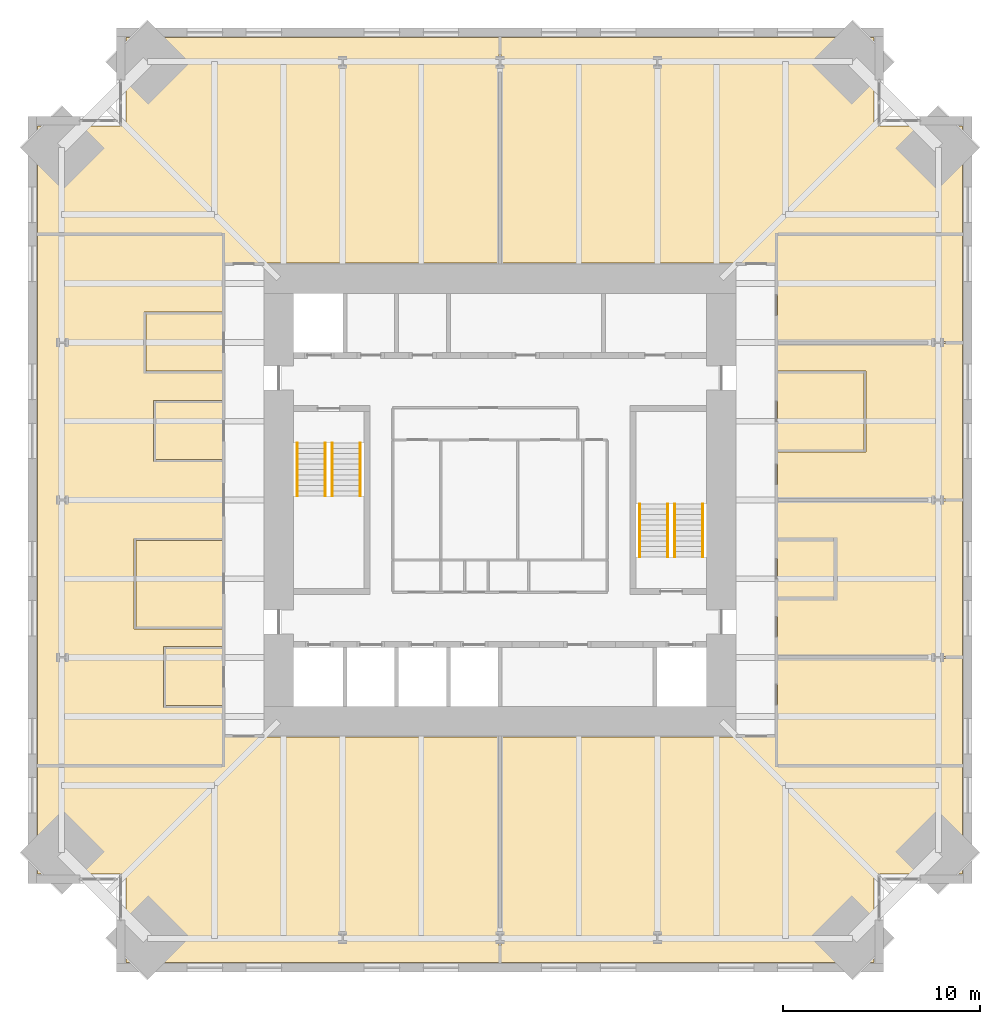
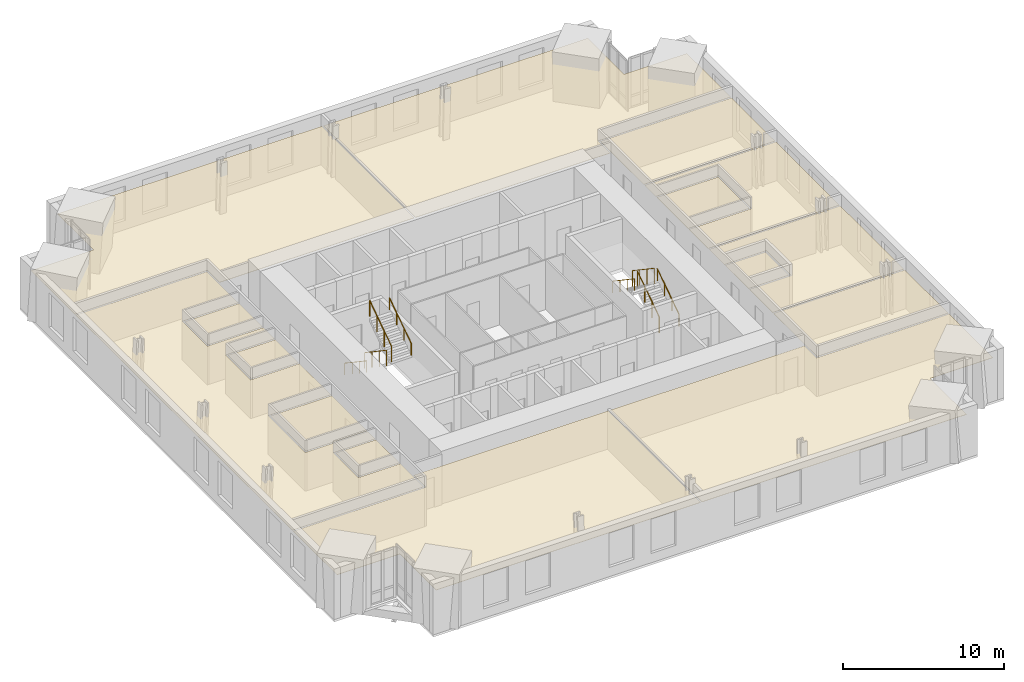
# One storey, part 15 of 15: 15 coverings, 8 railings.
"""IFC4 building model written with IfcOpenShell, lengths in metres."""

import ifcopenshell
import ifcopenshell.guid

model = None  # the IFC model being written
_history = None  # IfcOwnerHistory: only IFC2X3 demands one
_inside = {}  # id of a spatial element -> (the spatial element, [elements in it])
_under = {}  # id of a project, library or spatial element -> (it, [spatial elements below it])
_declared = {}  # id of a project -> (the project, [libraries it declares])
_typed = {}  # id of a type object -> (the type object, [elements of that type])
_made_of = {}  # id of a material, layer set ... -> (it, [elements and type objects made of it])


def new_model(schema):
    """Start an empty IFC model of exactly this schema.

    Asked for "IFC4X3", IfcOpenShell would pick the latest addendum, in which some entities
    have other attributes; the version numbers below select the first issue.
    IFC2X3 requires an IfcOwnerHistory on every rooted entity: one is made here for all.
    """
    global model, _history
    if schema == "IFC4X3":
        model = ifcopenshell.file(schema_version=(4, 3, 0, 0))
    else:
        model = ifcopenshell.file(schema=schema)
    _inside.clear()
    _under.clear()
    _declared.clear()
    _typed.clear()
    _made_of.clear()
    _history = None
    if model.schema == "IFC2X3":
        org = make("IfcOrganization", Name="unknown")
        user = make(
            "IfcPersonAndOrganization",
            ThePerson=make("IfcPerson", FamilyName="unknown"),
            TheOrganization=org,
        )
        app = make(
            "IfcApplication",
            ApplicationDeveloper=org,
            Version="unknown",
            ApplicationFullName="unknown",
            ApplicationIdentifier="unknown",
        )
        _history = make(
            "IfcOwnerHistory",
            OwningUser=user,
            OwningApplication=app,
            ChangeAction="ADDED",
            CreationDate=0,
        )
    return model


def make(cls, **values):
    """One entity of the class cls with the attributes given. An attribute that is None is left unset."""
    return model.create_entity(
        cls, **{name: value for name, value in values.items() if value is not None}
    )


def rooted(cls, **values):
    """An entity with a GlobalId (a new one), such as an element, a storey or a relation."""
    return make(cls, GlobalId=ifcopenshell.guid.new(), OwnerHistory=_history, **values)


def si_unit(unit_type, name, prefix=None):
    """IfcSIUnit, for example si_unit("LENGTHUNIT", "METRE", prefix="MILLI")."""
    return make("IfcSIUnit", UnitType=unit_type, Prefix=prefix, Name=name)


def assignment(units):
    """IfcUnitAssignment: the units of a project."""
    return None if units is None else make("IfcUnitAssignment", Units=units)


def point(xyz):
    """IfcCartesianPoint."""
    return None if xyz is None else make("IfcCartesianPoint", Coordinates=xyz)


def direction(xyz):
    """IfcDirection."""
    return None if xyz is None else make("IfcDirection", DirectionRatios=xyz)


def frame(location, z_axis=None, x_axis=None):
    """IfcAxis2Placement3D, a coordinate frame: its origin and axes. An axis left out is left unset."""
    return make(
        "IfcAxis2Placement3D",
        Location=point(location),
        Axis=direction(z_axis),
        RefDirection=direction(x_axis),
    )


def frame_2d(location, x_axis=None):
    """IfcAxis2Placement2D, a coordinate frame in the plane: its origin and x axis."""
    return make(
        "IfcAxis2Placement2D", Location=point(location), RefDirection=direction(x_axis)
    )


def origin():
    """The frame at (0, 0, 0) with its axes left unset."""
    return frame((0.0, 0.0, 0.0))


def origin_2d():
    """The frame at (0, 0) in the plane with its x axis left unset."""
    return frame_2d((0.0, 0.0))


def place(relative_to, where):
    """IfcLocalPlacement: puts the frame where relative to a parent placement (None: the world)."""
    return make(
        "IfcLocalPlacement", PlacementRelTo=relative_to, RelativePlacement=where
    )


def context(
    kind, dimensions, precision=None, world=None, true_north=None, identifier=None
):
    """IfcGeometricRepresentationContext, for example the 3D "Model" context."""
    return make(
        "IfcGeometricRepresentationContext",
        ContextIdentifier=identifier,
        ContextType=kind,
        CoordinateSpaceDimension=dimensions,
        Precision=precision,
        WorldCoordinateSystem=world,
        TrueNorth=true_north,
    )


def subcontext(parent, identifier, kind, view, scale=None):
    """IfcGeometricRepresentationSubContext, for example "Body" below "Model"."""
    return make(
        "IfcGeometricRepresentationSubContext",
        ContextIdentifier=identifier,
        ContextType=kind,
        ParentContext=parent,
        TargetScale=scale,
        TargetView=view,
    )


def project(units=None, contexts=None):
    """IfcProject with its units and contexts."""
    return rooted(
        "IfcProject",
        Name="project",
        RepresentationContexts=contexts,
        UnitsInContext=assignment(units),
    )


def spatial(cls, under=None, at=None, **own):
    """A site, building, storey or space (cls), placed at a placement, below another one or the project."""
    s = rooted(cls, ObjectPlacement=at, **own)
    if under is not None:
        _under.setdefault(under.id(), (under, []))[1].append(s)
    return s


def polyline(points):
    """IfcPolyline through the points."""
    return make("IfcPolyline", Points=[point(p) for p in points])


def profile(cls, at=None, kind="AREA", **sizes):
    """A parametric profile (cls). Its sizes go by their IFC names, for example OverallWidth=200.0."""
    return make(cls, ProfileType=kind, Position=at, **sizes)


def circle(**sizes):
    """IfcCircleProfileDef."""
    return profile("IfcCircleProfileDef", **sizes)


def outline(outer, holes=None, kind="AREA"):
    """IfcArbitraryClosedProfileDef: a profile drawn as a closed curve; with holes, ...WithVoids."""
    if holes is None:
        return make("IfcArbitraryClosedProfileDef", ProfileType=kind, OuterCurve=outer)
    return make(
        "IfcArbitraryProfileDefWithVoids",
        ProfileType=kind,
        OuterCurve=outer,
        InnerCurves=holes,
    )


def extrude(swept, where, along, depth):
    """IfcExtrudedAreaSolid: the profile swept, set in the frame where, extruded along a direction by depth."""
    return make(
        "IfcExtrudedAreaSolid",
        SweptArea=swept,
        Position=where,
        ExtrudedDirection=direction(along),
        Depth=depth,
    )


def shape(context_of_items, identifier, shape_type, items):
    """IfcShapeRepresentation: the items that make up one representation, for example the "Body"."""
    return make(
        "IfcShapeRepresentation",
        ContextOfItems=context_of_items,
        RepresentationIdentifier=identifier,
        RepresentationType=shape_type,
        Items=items,
    )


def material(Name=None, Category=None):
    """IfcMaterial."""
    return make("IfcMaterial", Name=Name, Category=Category)


def layer(
    of_material, thickness, ventilated=None, Name=None, Category=None, Priority=None
):
    """IfcMaterialLayer: one layer of a wall or slab, of a material (None: an air gap)."""
    return make(
        "IfcMaterialLayer",
        Material=of_material,
        LayerThickness=thickness,
        IsVentilated=ventilated,
        Name=Name,
        Category=Category,
        Priority=Priority,
    )


def layer_set(layers, Name=None):
    """IfcMaterialLayerSet."""
    return make("IfcMaterialLayerSet", MaterialLayers=layers, LayerSetName=Name)


def made_of(thing, what):
    """Note that an element or type object is made of a material, layer set ...; save() writes the relation."""
    if what is not None:
        _made_of.setdefault(what.id(), (what, []))[1].append(thing)
    return thing


def type_object(cls, material=None, **own):
    """A type object (cls), such as IfcWallType, which elements share."""
    return made_of(rooted(cls, **own), material)


def element(
    cls,
    number,
    at=None,
    inside=None,
    cuts=None,
    type_object=None,
    material=None,
    context=None,
    identifier="Body",
    shape_type=None,
    held_by="IfcProductDefinitionShape",
    body=None,
    shapes=None,
    **own,
):
    """One element of the class cls, such as IfcWall. Its Tag is "e" and its number.

    at: its placement. inside: the storey or other place that contains it. cuts: it is an
    opening in that element (IfcRelVoidsElement). A single representation is given by context,
    identifier, shape_type and body (its items); several are given by shapes. held_by: the class
    of the entity that holds the representations. save() writes the other relations.
    """
    e = rooted(cls, Tag="e%d" % number, ObjectPlacement=at, **own)
    if body is not None:
        shapes = [shape(context, identifier, shape_type, body)]
    if shapes is not None:
        e.Representation = make(held_by, Representations=shapes)
    if inside is not None:
        _inside.setdefault(inside.id(), (inside, []))[1].append(e)
    if cuts is not None:
        rooted(
            "IfcRelVoidsElement", RelatingBuildingElement=cuts, RelatedOpeningElement=e
        )
    if type_object is not None:
        _typed.setdefault(type_object.id(), (type_object, []))[1].append(e)
    return made_of(e, material)


def aggregate(whole, parts):
    """IfcRelAggregates: a whole, such as a stair, and the parts it consists of."""
    return rooted("IfcRelAggregates", RelatingObject=whole, RelatedObjects=parts)


def save(model, path):
    """Write the relations noted so far, then the file.

    IfcRelAggregates (storeys below a building ...), IfcRelContainedInSpatialStructure (elements
    in a storey), IfcRelDefinesByType, IfcRelAssociatesMaterial and IfcRelDeclares: one each for
    every whole, place, type object, material and project.
    """
    for whole, parts in _under.values():
        aggregate(whole, parts)
    for where, things in _inside.values():
        rooted(
            "IfcRelContainedInSpatialStructure",
            RelatedElements=things,
            RelatingStructure=where,
        )
    for kind, things in _typed.values():
        rooted("IfcRelDefinesByType", RelatedObjects=things, RelatingType=kind)
    for what, things in _made_of.values():
        rooted("IfcRelAssociatesMaterial", RelatedObjects=things, RelatingMaterial=what)
    for by, libraries in _declared.values():
        rooted("IfcRelDeclares", RelatingContext=by, RelatedDefinitions=libraries)
    model.write(path)


model = new_model("IFC4")

# Units and contexts
model_context = context("Model", 3, precision=1e-05, world=origin(), true_north=direction((0.0, 1.0)))
body_context = subcontext(model_context, "Body", "Model", "MODEL_VIEW")
ifc_project = project(units=[si_unit("LENGTHUNIT", "METRE"), si_unit("AREAUNIT", "SQUARE_METRE"), si_unit("VOLUMEUNIT", "CUBIC_METRE"), si_unit("PLANEANGLEUNIT", "RADIAN"), si_unit("MASSUNIT", "GRAM", prefix="KILO")], contexts=[model_context])

# Site, building, storey
site_placement = place(None, origin())
site = spatial("IfcSite", under=ifc_project, at=site_placement, CompositionType="ELEMENT")
building_placement = place(site_placement, origin())
building = spatial("IfcBuilding", under=site, at=building_placement, Name="Peilmerk Tower", CompositionType="ELEMENT")
storey_placement = place(building_placement, frame((0.0, 0.0, 213.800048828125)))
storey = spatial("IfcBuildingStorey", under=building, at=storey_placement, Name="L46", CompositionType="ELEMENT", Elevation=213.800048828125)

# Coverings
ifc_material_1 = material(Name="Mineral fibre ceiling tiles", Category="mineral")
ifc_layer = layer(ifc_material_1, 0.02490234375)
ifc_layer_set = layer_set([ifc_layer], Name="Mineral fibre ceiling tiles")
covering_type = type_object("IfcCoveringType", Name="CL1 25 suspended ceiling", PredefinedType="CEILING", material=ifc_layer_set)
covering_1_placement = place(storey_placement, frame((0.0, 0.0, 2.905029296875)))
element("IfcCovering", 1, at=covering_1_placement, inside=storey, type_object=covering_type, Name="Suspended ceiling Open workspace", PredefinedType="CEILING", context=body_context, shape_type="SweptSolid", body=[
    extrude(outline(polyline([(-23.5, 19.0), (-23.5, 13.550048828125), (-14.0, 13.550048828125), (-14.0, 12.050048828125), (-0.050048828125, 12.050048828125), (-0.050048828125, 23.5), (-19.0, 23.5), (-19.0, 19.0), (-23.5, 19.0)])), origin(), (0.0, 0.0, 1.0), 0.02490234375),
])
covering_2_placement = place(storey_placement, frame((0.0, 0.0, 2.905029296875)))
element("IfcCovering", 2, at=covering_2_placement, inside=storey, type_object=covering_type, Name="Suspended ceiling Project room", PredefinedType="CEILING", context=body_context, shape_type="SweptSolid", body=[
    extrude(outline(polyline([(19.0, 23.5), (0.050048828125, 23.5), (0.050048828125, 12.050048828125), (14.0, 12.050048828125), (14.0, 13.550048828125), (23.5, 13.550048828125), (23.5, 19.0), (19.0, 19.0), (19.0, 23.5)])), origin(), (0.0, 0.0, 1.0), 0.02490234375),
])
covering_3_placement = place(storey_placement, frame((0.0, 0.0, 2.905029296875)))
element("IfcCovering", 3, at=covering_3_placement, inside=storey, type_object=covering_type, Name="Suspended ceiling Office", PredefinedType="CEILING", context=body_context, shape_type="SweptSolid", body=[
    extrude(outline(polyline([(-19.0, -23.5), (-0.050048828125, -23.5), (-0.050048828125, -12.050048828125), (-14.0, -12.050048828125), (-14.0, -13.550048828125), (-23.5, -13.550048828125), (-23.5, -19.0), (-19.0, -19.0), (-19.0, -23.5)])), origin(), (0.0, 0.0, 1.0), 0.02490234375),
])
covering_4_placement = place(storey_placement, frame((0.0, 0.0, 2.905029296875)))
element("IfcCovering", 4, at=covering_4_placement, inside=storey, type_object=covering_type, Name="Suspended ceiling Open workspace", PredefinedType="CEILING", context=body_context, shape_type="SweptSolid", body=[
    extrude(outline(polyline([(0.050048828125, -23.5), (19.0, -23.5), (19.0, -19.0), (23.5, -19.0), (23.5, -13.550048828125), (14.0, -13.550048828125), (14.0, -12.050048828125), (0.050048828125, -12.050048828125), (0.050048828125, -23.5)])), origin(), (0.0, 0.0, 1.0), 0.02490234375),
])
covering_5_placement = place(storey_placement, frame((0.0, 0.0, 2.905029296875)))
element("IfcCovering", 5, at=covering_5_placement, inside=storey, type_object=covering_type, Name="Suspended ceiling Project room", PredefinedType="CEILING", context=body_context, shape_type="SweptSolid", body=[
    extrude(outline(polyline([(23.5, -13.449951171875), (23.5, -8.050048828125), (14.10009765625, -8.050048828125), (14.10009765625, -13.449951171875), (23.5, -13.449951171875)])), origin(), (0.0, 0.0, 1.0), 0.02490234375),
])
covering_6_placement = place(storey_placement, frame((0.0, 0.0, 2.905029296875)))
element("IfcCovering", 6, at=covering_6_placement, inside=storey, type_object=covering_type, Name="Suspended ceiling Office", PredefinedType="CEILING", context=body_context, shape_type="SweptSolid", body=[
    extrude(outline(polyline([(14.10009765625, -7.949951171875), (23.5, -7.949951171875), (23.5, -0.050048828125), (14.10009765625, -0.050048828125), (14.10009765625, -1.949951171875), (17.10009765625, -1.949951171875), (17.10009765625, -5.050048828125), (14.10009765625, -5.050048828125), (14.10009765625, -7.949951171875)])), origin(), (0.0, 0.0, 1.0), 0.02490234375),
])
covering_7_placement = place(storey_placement, frame((0.0, 0.0, 2.905029296875)))
element("IfcCovering", 7, at=covering_7_placement, inside=storey, type_object=covering_type, Name="Suspended ceiling Office", PredefinedType="CEILING", context=body_context, shape_type="SweptSolid", body=[
    extrude(outline(polyline([(14.10009765625, 0.050048828125), (23.5, 0.050048828125), (23.5, 7.949951171875), (14.10009765625, 7.949951171875), (14.10009765625, 6.550048828125), (18.60009765625, 6.550048828125), (18.60009765625, 2.449951171875), (14.10009765625, 2.449951171875), (14.10009765625, 0.050048828125)])), origin(), (0.0, 0.0, 1.0), 0.02490234375),
])
covering_8_placement = place(storey_placement, frame((0.0, 0.0, 2.905029296875)))
element("IfcCovering", 8, at=covering_8_placement, inside=storey, type_object=covering_type, Name="Suspended ceiling Wellness room", PredefinedType="CEILING", context=body_context, shape_type="SweptSolid", body=[
    extrude(outline(polyline([(23.5, 8.050048828125), (23.5, 13.449951171875), (14.10009765625, 13.449951171875), (14.10009765625, 8.050048828125), (23.5, 8.050048828125)])), origin(), (0.0, 0.0, 1.0), 0.02490234375),
])
covering_9_placement = place(storey_placement, frame((0.0, 0.0, 2.905029296875)))
element("IfcCovering", 9, at=covering_9_placement, inside=storey, type_object=covering_type, Name="Suspended ceiling Print room", PredefinedType="CEILING", context=body_context, shape_type="SweptSolid", body=[
    extrude(outline(polyline([(17.0, -4.949951171875), (17.0, -2.050048828125), (14.10009765625, -2.050048828125), (14.10009765625, -4.949951171875), (17.0, -4.949951171875)])), origin(), (0.0, 0.0, 1.0), 0.02490234375),
])
covering_10_placement = place(storey_placement, frame((0.0, 0.0, 2.905029296875)))
element("IfcCovering", 10, at=covering_10_placement, inside=storey, type_object=covering_type, Name="Suspended ceiling Meeting room", PredefinedType="CEILING", context=body_context, shape_type="SweptSolid", body=[
    extrude(outline(polyline([(18.5, 2.550048828125), (18.5, 6.449951171875), (14.10009765625, 6.449951171875), (14.10009765625, 2.550048828125), (18.5, 2.550048828125)])), origin(), (0.0, 0.0, 1.0), 0.02490234375),
])
covering_11_placement = place(storey_placement, frame((0.0, 0.0, 2.905029296875)))
element("IfcCovering", 11, at=covering_11_placement, inside=storey, type_object=covering_type, Name="Suspended ceiling Open workspace", PredefinedType="CEILING", context=body_context, shape_type="SweptSolid", body=[
    extrude(outline(polyline([(-14.10009765625, 13.449951171875), (-23.5, 13.449951171875), (-23.5, -13.449951171875), (-14.10009765625, -13.449951171875), (-14.10009765625, -10.550048828125), (-17.10009765625, -10.550048828125), (-17.10009765625, -7.449951171875), (-14.10009765625, -7.449951171875), (-14.10009765625, -6.550048828125), (-18.60009765625, -6.550048828125), (-18.60009765625, -1.949951171875), (-14.10009765625, -1.949951171875), (-14.10009765625, 1.949951171875), (-17.60009765625, 1.949951171875), (-17.60009765625, 5.050048828125), (-14.10009765625, 5.050048828125), (-14.10009765625, 6.449951171875), (-18.10009765625, 6.449951171875), (-18.10009765625, 9.550048828125), (-14.10009765625, 9.550048828125), (-14.10009765625, 13.449951171875)])), origin(), (0.0, 0.0, 1.0), 0.02490234375),
])
covering_12_placement = place(storey_placement, frame((0.0, 0.0, 2.905029296875)))
element("IfcCovering", 12, at=covering_12_placement, inside=storey, type_object=covering_type, Name="Suspended ceiling Meeting room", PredefinedType="CEILING", context=body_context, shape_type="SweptSolid", body=[
    extrude(outline(polyline([(-14.10009765625, -6.449951171875), (-14.10009765625, -2.050048828125), (-18.5, -2.050048828125), (-18.5, -6.449951171875), (-14.10009765625, -6.449951171875)])), origin(), (0.0, 0.0, 1.0), 0.02490234375),
])
covering_13_placement = place(storey_placement, frame((0.0, 0.0, 2.905029296875)))
element("IfcCovering", 13, at=covering_13_placement, inside=storey, type_object=covering_type, Name="Suspended ceiling Quiet room", PredefinedType="CEILING", context=body_context, shape_type="SweptSolid", body=[
    extrude(outline(polyline([(-14.10009765625, 2.050048828125), (-14.10009765625, 4.949951171875), (-17.5, 4.949951171875), (-17.5, 2.050048828125), (-14.10009765625, 2.050048828125)])), origin(), (0.0, 0.0, 1.0), 0.02490234375),
])
covering_14_placement = place(storey_placement, frame((0.0, 0.0, 2.905029296875)))
element("IfcCovering", 14, at=covering_14_placement, inside=storey, type_object=covering_type, Name="Suspended ceiling Pantry", PredefinedType="CEILING", context=body_context, shape_type="SweptSolid", body=[
    extrude(outline(polyline([(-14.10009765625, 6.550048828125), (-14.10009765625, 9.449951171875), (-18.0, 9.449951171875), (-18.0, 6.550048828125), (-14.10009765625, 6.550048828125)])), origin(), (0.0, 0.0, 1.0), 0.02490234375),
])
covering_15_placement = place(storey_placement, frame((0.0, 0.0, 2.905029296875)))
element("IfcCovering", 15, at=covering_15_placement, inside=storey, type_object=covering_type, Name="Suspended ceiling Quiet room", PredefinedType="CEILING", context=body_context, shape_type="SweptSolid", body=[
    extrude(outline(polyline([(-14.10009765625, -10.449951171875), (-14.10009765625, -7.550048828125), (-17.0, -7.550048828125), (-17.0, -10.449951171875), (-14.10009765625, -10.449951171875)])), origin(), (0.0, 0.0, 1.0), 0.02490234375),
])

# Railings
ifc_material_2 = material(Name="Steel flat bar balustrade", Category="steel")
railing_type_1 = type_object("IfcRailingType", Name="GR1 1200 stair guard", PredefinedType="GUARDRAIL", material=ifc_material_2)
railing_1_placement = place(storey_placement, frame((-8.8798828125, 2.89990234375, 0.181884765625)))
element("IfcRailing", 16, at=railing_1_placement, inside=storey, type_object=railing_type_1, Name="Guard stair 1 L46", PredefinedType="GUARDRAIL", context=body_context, shape_type="SweptSolid", body=[
    extrude(circle(Radius=0.02392578125, at=origin_2d()), frame((0.0, 0.0, 1.17578125), z_axis=(0.0, -0.829468130872, 0.55855404382), x_axis=(1.0, 0.0, 0.0)), (0.0, 0.0, 1.0), 3.255126953125),
    extrude(circle(Radius=0.02099609375, at=origin_2d()), origin(), (0.0, 0.0, 1.0), 1.15185546875),
    extrude(circle(Radius=0.02099609375, at=origin_2d()), frame((0.0, -0.89990234375, 0.60595703125)), (0.0, 0.0, 1.0), 1.15185546875),
    extrude(circle(Radius=0.02099609375, at=origin_2d()), frame((0.0, -1.800048828125, 1.212158203125)), (0.0, 0.0, 1.0), 1.15185546875),
    extrude(circle(Radius=0.02099609375, at=origin_2d()), frame((0.0, -2.699951171875, 1.818115234375)), (0.0, 0.0, 1.0), 1.15185546875),
])
for number, where, name in (
    (17, (-8.52001953125, 0.199951171875, 2.181884765625), "Guard stair 1 L46"),
    (18, (8.8798828125, -2.89990234375, 0.181884765625), "Guard stair 2 L46"),
):
    element("IfcRailing", number, at=place(storey_placement, frame(where)), inside=storey, type_object=railing_type_1, Name=name, PredefinedType="GUARDRAIL", context=body_context, shape_type="SweptSolid", body=[
        extrude(circle(Radius=0.02392578125, at=origin_2d()), frame((0.0, 0.0, 1.17578125), z_axis=(0.0, 0.829468130872, 0.55855404382), x_axis=(-1.0, 0.0, 0.0)), (0.0, 0.0, 1.0), 3.255126953125),
        extrude(circle(Radius=0.02099609375, at=origin_2d()), origin(), (0.0, 0.0, 1.0), 1.15185546875),
        extrude(circle(Radius=0.02099609375, at=origin_2d()), frame((0.0, 0.89990234375, 0.60595703125)), (0.0, 0.0, 1.0), 1.15185546875),
        extrude(circle(Radius=0.02099609375, at=origin_2d()), frame((0.0, 1.800048828125, 1.212158203125)), (0.0, 0.0, 1.0), 1.15185546875),
        extrude(circle(Radius=0.02099609375, at=origin_2d()), frame((0.0, 2.699951171875, 1.818115234375)), (0.0, 0.0, 1.0), 1.15185546875),
    ])
railing_2_placement = place(storey_placement, frame((8.52001953125, -0.199951171875, 2.181884765625)))
element("IfcRailing", 19, at=railing_2_placement, inside=storey, type_object=railing_type_1, Name="Guard stair 2 L46", PredefinedType="GUARDRAIL", context=body_context, shape_type="SweptSolid", body=[
    extrude(circle(Radius=0.02392578125, at=origin_2d()), frame((0.0, 0.0, 1.17578125), z_axis=(0.0, -0.829468130872, 0.55855404382), x_axis=(1.0, 0.0, 0.0)), (0.0, 0.0, 1.0), 3.255126953125),
    extrude(circle(Radius=0.02099609375, at=origin_2d()), origin(), (0.0, 0.0, 1.0), 1.15185546875),
    extrude(circle(Radius=0.02099609375, at=origin_2d()), frame((0.0, -0.89990234375, 0.60595703125)), (0.0, 0.0, 1.0), 1.15185546875),
    extrude(circle(Radius=0.02099609375, at=origin_2d()), frame((0.0, -1.800048828125, 1.212158203125)), (0.0, 0.0, 1.0), 1.15185546875),
    extrude(circle(Radius=0.02099609375, at=origin_2d()), frame((0.0, -2.699951171875, 1.818115234375)), (0.0, 0.0, 1.0), 1.15185546875),
])
ifc_material_3 = material(Name="Stainless steel tube", Category="steel")
railing_type_2 = type_object("IfcRailingType", Name="HR1 900 stair handrail", PredefinedType="HANDRAIL", material=ifc_material_3)
railing_3_placement = place(storey_placement, frame((-10.300048828125, 2.89990234375, 0.181884765625)))
element("IfcRailing", 20, at=railing_3_placement, inside=storey, type_object=railing_type_2, Name="Handrail stair 1 L46", PredefinedType="HANDRAIL", context=body_context, shape_type="SweptSolid", body=[
    extrude(circle(Radius=0.02392578125, at=origin_2d()), frame((0.0, 0.0, 0.8759765625), z_axis=(0.0, -0.829468130872, 0.55855404382), x_axis=(1.0, 0.0, 0.0)), (0.0, 0.0, 1.0), 3.255126953125),
    extrude(circle(Radius=0.02099609375, at=origin_2d()), origin(), (0.0, 0.0, 1.0), 0.851806640625),
    extrude(circle(Radius=0.02099609375, at=origin_2d()), frame((0.0, -0.89990234375, 0.60595703125)), (0.0, 0.0, 1.0), 0.851806640625),
    extrude(circle(Radius=0.02099609375, at=origin_2d()), frame((0.0, -1.800048828125, 1.212158203125)), (0.0, 0.0, 1.0), 0.851806640625),
    extrude(circle(Radius=0.02099609375, at=origin_2d()), frame((0.0, -2.699951171875, 1.818115234375)), (0.0, 0.0, 1.0), 0.851806640625),
])
for number, where, name in (
    (21, (-7.10009765625, 0.199951171875, 2.181884765625), "Handrail stair 1 L46"),
    (22, (10.300048828125, -2.89990234375, 0.181884765625), "Handrail stair 2 L46"),
):
    element("IfcRailing", number, at=place(storey_placement, frame(where)), inside=storey, type_object=railing_type_2, Name=name, PredefinedType="HANDRAIL", context=body_context, shape_type="SweptSolid", body=[
        extrude(circle(Radius=0.02392578125, at=origin_2d()), frame((0.0, 0.0, 0.8759765625), z_axis=(0.0, 0.829468130872, 0.55855404382), x_axis=(-1.0, 0.0, 0.0)), (0.0, 0.0, 1.0), 3.255126953125),
        extrude(circle(Radius=0.02099609375, at=origin_2d()), origin(), (0.0, 0.0, 1.0), 0.851806640625),
        extrude(circle(Radius=0.02099609375, at=origin_2d()), frame((0.0, 0.89990234375, 0.60595703125)), (0.0, 0.0, 1.0), 0.851806640625),
        extrude(circle(Radius=0.02099609375, at=origin_2d()), frame((0.0, 1.800048828125, 1.212158203125)), (0.0, 0.0, 1.0), 0.851806640625),
        extrude(circle(Radius=0.02099609375, at=origin_2d()), frame((0.0, 2.699951171875, 1.818115234375)), (0.0, 0.0, 1.0), 0.851806640625),
    ])
railing_4_placement = place(storey_placement, frame((7.10009765625, -0.199951171875, 2.181884765625)))
element("IfcRailing", 23, at=railing_4_placement, inside=storey, type_object=railing_type_2, Name="Handrail stair 2 L46", PredefinedType="HANDRAIL", context=body_context, shape_type="SweptSolid", body=[
    extrude(circle(Radius=0.02392578125, at=origin_2d()), frame((0.0, 0.0, 0.8759765625), z_axis=(0.0, -0.829468130872, 0.55855404382), x_axis=(1.0, 0.0, 0.0)), (0.0, 0.0, 1.0), 3.255126953125),
    extrude(circle(Radius=0.02099609375, at=origin_2d()), origin(), (0.0, 0.0, 1.0), 0.851806640625),
    extrude(circle(Radius=0.02099609375, at=origin_2d()), frame((0.0, -0.89990234375, 0.60595703125)), (0.0, 0.0, 1.0), 0.851806640625),
    extrude(circle(Radius=0.02099609375, at=origin_2d()), frame((0.0, -1.800048828125, 1.212158203125)), (0.0, 0.0, 1.0), 0.851806640625),
    extrude(circle(Radius=0.02099609375, at=origin_2d()), frame((0.0, -2.699951171875, 1.818115234375)), (0.0, 0.0, 1.0), 0.851806640625),
])

save(model, "model.ifc")
